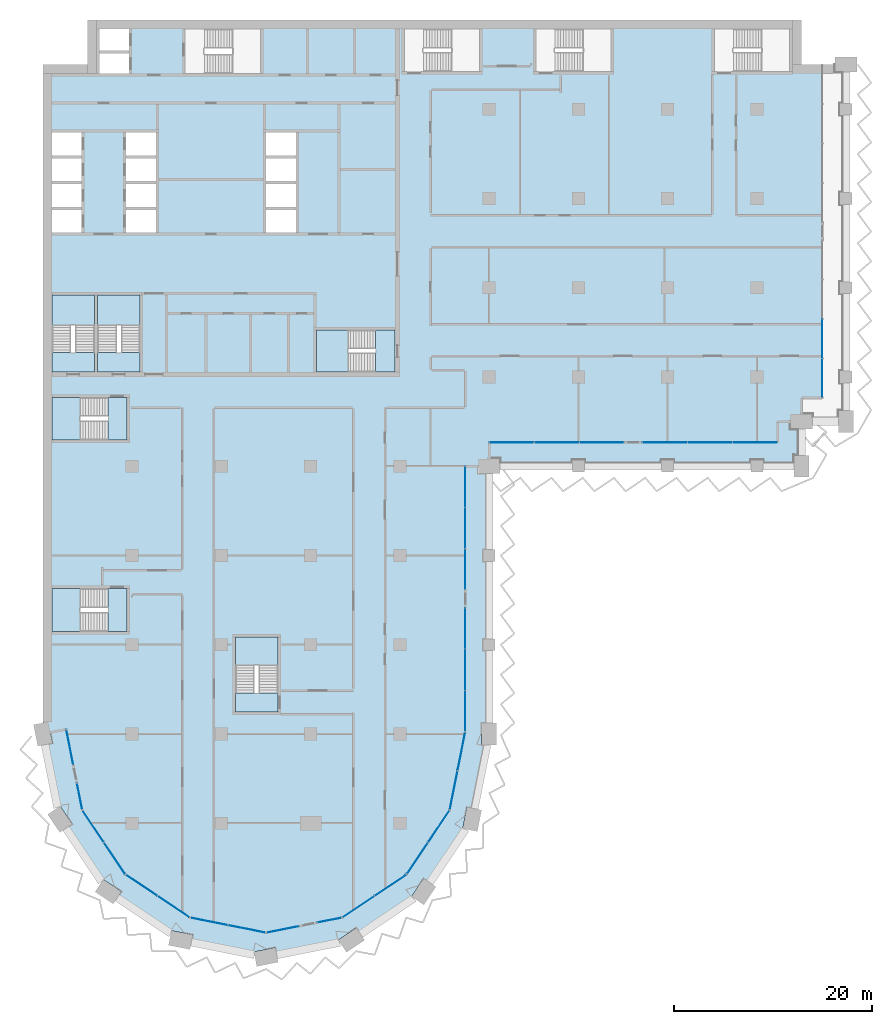
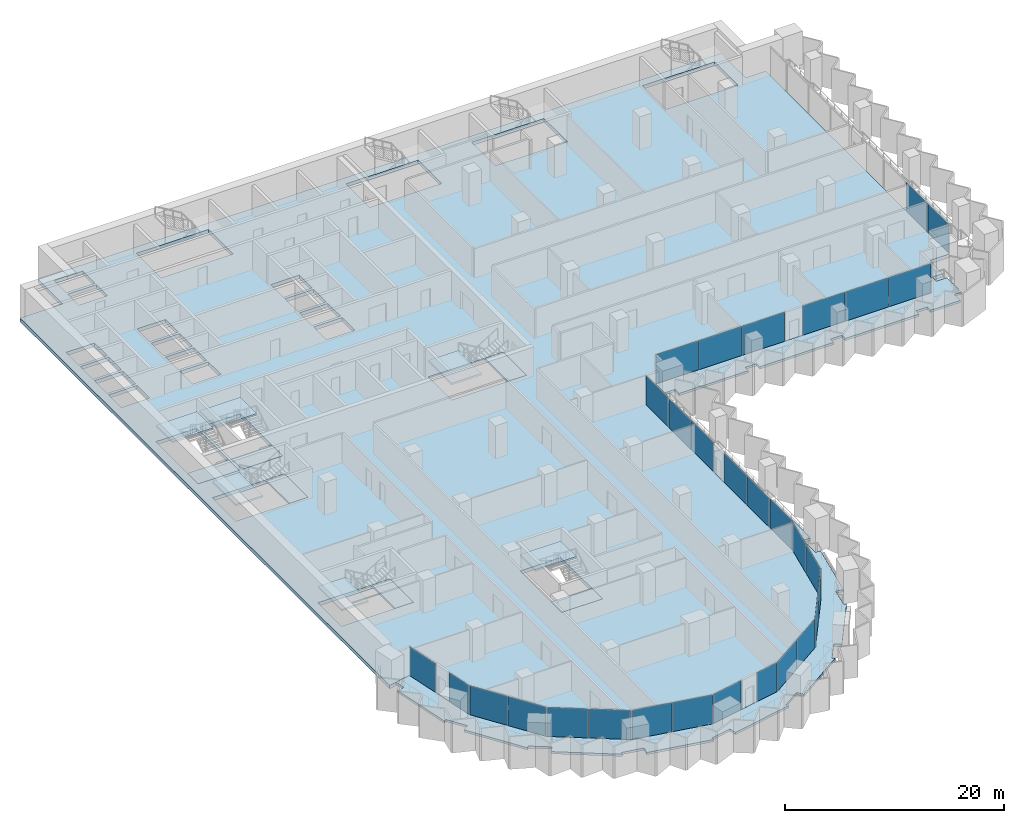
# One storey, part 7 of 23: 30 plates, 15 slabs, 21 elements without a shape of their own.
"""IFC4 building model written with IfcOpenShell, lengths in metres."""

from ifc_helpers import new_model, si_unit, direction, frame, origin, origin_2d, place, context, subcontext, project, spatial, polyline, rectangle, outline, extrude, material, layer, layer_set, type_object, element, aggregate, save


model = new_model("IFC4")

# Units and contexts
model_context = context("Model", 3, precision=1e-05, world=origin(), true_north=direction((0.0, 1.0)))
body_context = subcontext(model_context, "Body", "Model", "MODEL_VIEW")
ifc_project = project(units=[si_unit("LENGTHUNIT", "METRE"), si_unit("AREAUNIT", "SQUARE_METRE"), si_unit("VOLUMEUNIT", "CUBIC_METRE"), si_unit("PLANEANGLEUNIT", "RADIAN"), si_unit("MASSUNIT", "GRAM", prefix="KILO")], contexts=[model_context])

# Site, building, storey
site_placement = place(None, origin())
site = spatial("IfcSite", under=ifc_project, at=site_placement, CompositionType="ELEMENT")
building_placement = place(site_placement, origin())
building = spatial("IfcBuilding", under=site, at=building_placement, Name="Hunhe Ridgeline Campus", CompositionType="ELEMENT")
storey_placement = place(building_placement, frame((0.0, 0.0, 107.0)))
storey = spatial("IfcBuildingStorey", under=building, at=storey_placement, Name="L26", CompositionType="ELEMENT", Elevation=107.0)

# Curtain wall, plate
ifc_material_1 = material(Name="Aluminium 6063", Category="aluminium")
curtain_wall_type_1 = type_object("IfcCurtainWallType", Name="Curtain wall CW-5", PredefinedType="NOTDEFINED", material=ifc_material_1)
curtain_wall_1_placement = place(storey_placement, origin())
curtain_wall_1 = element("IfcCurtainWall", 1, at=curtain_wall_1_placement, inside=storey, type_object=curtain_wall_type_1, Name="Curtain wall 01", PredefinedType="NOTDEFINED")
ifc_material_2 = material(Name="Low-e laminated glass", Category="glass")
ifc_layer_1 = layer(ifc_material_2, 0.028076171875)
ifc_layer_set_1 = layer_set([ifc_layer_1], Name="Curtain wall glass panel 28 low-e laminated")
plate_type = type_object("IfcPlateType", Name="Curtain wall glass panel 28 low-e laminated", PredefinedType="CURTAIN_PANEL", material=ifc_layer_set_1)
plate_1_placement = place(storey_placement, frame((2.7158203125, 25.65380859375, 0.0), z_axis=(0.0, 0.0, 1.0), x_axis=(0.195095326561, -0.980784284924, 0.0)))
plate_1 = element("IfcPlate", 2, at=plate_1_placement, type_object=plate_type, Name="CW-5 panel 1", PredefinedType="CURTAIN_PANEL", context=body_context, shape_type="SweptSolid", body=[
    extrude(rectangle(XDim=3.560791015625, YDim=0.028076171875, at=origin_2d()), origin(), (0.0, 0.0, 1.0), 3.22998046875),
])
aggregate(curtain_wall_1, [plate_1])

curtain_wall_2_placement = place(storey_placement, origin())
curtain_wall_2 = element("IfcCurtainWall", 3, at=curtain_wall_2_placement, inside=storey, type_object=curtain_wall_type_1, Name="Curtain wall 02", PredefinedType="NOTDEFINED")
plate_2_placement = place(storey_placement, frame((3.701171875, 20.699951171875, 0.0), z_axis=(0.0, 0.0, 1.0), x_axis=(0.195095265587, -0.980784297053, 0.0)))
plate_2 = element("IfcPlate", 4, at=plate_2_placement, type_object=plate_type, Name="CW-5 panel 1", PredefinedType="CURTAIN_PANEL", context=body_context, shape_type="SweptSolid", body=[
    extrude(rectangle(XDim=2.660888671875, YDim=0.028076171875, at=origin_2d()), origin(), (0.0, 0.0, 1.0), 3.22998046875),
])
aggregate(curtain_wall_2, [plate_2])

# Curtain wall, plates
curtain_wall_3_placement = place(storey_placement, origin())
curtain_wall_3 = element("IfcCurtainWall", 5, at=curtain_wall_3_placement, inside=storey, type_object=curtain_wall_type_1, Name="Curtain wall 03", PredefinedType="NOTDEFINED")
plate_3_placement = place(storey_placement, frame((5.07080078125, 17.685546875, 0.0), z_axis=(0.0, 0.0, 1.0), x_axis=(0.555570274596, -0.831469584522, 0.0)))
plate_3 = element("IfcPlate", 6, at=plate_3_placement, type_object=plate_type, Name="CW-5 panel 1", PredefinedType="CURTAIN_PANEL", context=body_context, shape_type="SweptSolid", body=[
    extrude(rectangle(XDim=3.806884765625, YDim=0.028076171875, at=origin_2d()), origin(), (0.0, 0.0, 1.0), 3.22998046875),
])
plate_4_placement = place(storey_placement, frame((7.224609375, 14.4619140625, 0.0), z_axis=(0.0, 0.0, 1.0), x_axis=(0.555570274596, -0.831469584522, 0.0)))
plate_4 = element("IfcPlate", 7, at=plate_4_placement, type_object=plate_type, Name="CW-5 panel 2", PredefinedType="CURTAIN_PANEL", context=body_context, shape_type="SweptSolid", body=[
    extrude(rectangle(XDim=3.806884765625, YDim=0.028076171875, at=origin_2d()), origin(), (0.0, 0.0, 1.0), 3.22998046875),
])
aggregate(curtain_wall_3, [plate_3, plate_4])

curtain_wall_4_placement = place(storey_placement, origin())
curtain_wall_4 = element("IfcCurtainWall", 8, at=curtain_wall_4_placement, inside=storey, type_object=curtain_wall_type_1, Name="Curtain wall 04", PredefinedType="NOTDEFINED")
plate_5_placement = place(storey_placement, frame((9.9619140625, 11.724609375, 0.0), z_axis=(0.0, 0.0, 1.0), x_axis=(0.831469584522, -0.555570274596, 0.0)))
plate_5 = element("IfcPlate", 9, at=plate_5_placement, type_object=plate_type, Name="CW-5 panel 1", PredefinedType="CURTAIN_PANEL", context=body_context, shape_type="SweptSolid", body=[
    extrude(rectangle(XDim=3.806884765625, YDim=0.028076171875, at=origin_2d()), origin(), (0.0, 0.0, 1.0), 3.22998046875),
])
plate_6_placement = place(storey_placement, frame((13.185546875, 9.57080078125, 0.0), z_axis=(0.0, 0.0, 1.0), x_axis=(0.831469584522, -0.555570274596, 0.0)))
plate_6 = element("IfcPlate", 10, at=plate_6_placement, type_object=plate_type, Name="CW-5 panel 2", PredefinedType="CURTAIN_PANEL", context=body_context, shape_type="SweptSolid", body=[
    extrude(rectangle(XDim=3.806884765625, YDim=0.028076171875, at=origin_2d()), origin(), (0.0, 0.0, 1.0), 3.22998046875),
])
aggregate(curtain_wall_4, [plate_5, plate_6])

curtain_wall_5_placement = place(storey_placement, origin())
curtain_wall_5 = element("IfcCurtainWall", 11, at=curtain_wall_5_placement, inside=storey, type_object=curtain_wall_type_1, Name="Curtain wall 05", PredefinedType="NOTDEFINED")
plate_7_placement = place(storey_placement, frame((16.761962890625, 8.08935546875, 0.0), z_axis=(0.0, 0.0, 1.0), x_axis=(0.980785275326, -0.195090347539, 0.0)))
plate_7 = element("IfcPlate", 12, at=plate_7_placement, type_object=plate_type, Name="CW-5 panel 1", PredefinedType="CURTAIN_PANEL", context=body_context, shape_type="SweptSolid", body=[
    extrude(rectangle(XDim=3.806884765625, YDim=0.028076171875, at=origin_2d()), origin(), (0.0, 0.0, 1.0), 3.22998046875),
])
plate_8_placement = place(storey_placement, frame((20.564453125, 7.3330078125, 0.0), z_axis=(0.0, 0.0, 1.0), x_axis=(0.980785275326, -0.195090347539, 0.0)))
plate_8 = element("IfcPlate", 13, at=plate_8_placement, type_object=plate_type, Name="CW-5 panel 2", PredefinedType="CURTAIN_PANEL", context=body_context, shape_type="SweptSolid", body=[
    extrude(rectangle(XDim=3.806884765625, YDim=0.028076171875, at=origin_2d()), origin(), (0.0, 0.0, 1.0), 3.22998046875),
])
aggregate(curtain_wall_5, [plate_7, plate_8])

# Curtain wall, plate
curtain_wall_6_placement = place(storey_placement, origin())
curtain_wall_6 = element("IfcCurtainWall", 14, at=curtain_wall_6_placement, inside=storey, type_object=curtain_wall_type_1, Name="Curtain wall 06", PredefinedType="NOTDEFINED")
plate_9_placement = place(storey_placement, frame((24.19775390625, 7.28564453125, 0.0), z_axis=(0.0, 0.0, 1.0), x_axis=(0.980785270791, 0.19509037034, 0.0)))
plate_9 = element("IfcPlate", 15, at=plate_9_placement, type_object=plate_type, Name="CW-5 panel 1", PredefinedType="CURTAIN_PANEL", context=body_context, shape_type="SweptSolid", body=[
    extrude(rectangle(XDim=3.322021484375, YDim=0.028076171875, at=origin_2d()), origin(), (0.0, 0.0, 1.0), 3.22998046875),
])
aggregate(curtain_wall_6, [plate_9])

curtain_wall_7_placement = place(storey_placement, origin())
curtain_wall_7 = element("IfcCurtainWall", 16, at=curtain_wall_7_placement, inside=storey, type_object=curtain_wall_type_1, Name="Curtain wall 07", PredefinedType="NOTDEFINED")
plate_10_placement = place(storey_placement, frame((28.917236328125, 8.224609375, 0.0), z_axis=(0.0, 0.0, 1.0), x_axis=(0.980785242091, 0.195090514627, 0.0)))
plate_10 = element("IfcPlate", 17, at=plate_10_placement, type_object=plate_type, Name="CW-5 panel 1", PredefinedType="CURTAIN_PANEL", context=body_context, shape_type="SweptSolid", body=[
    extrude(rectangle(XDim=2.421875, YDim=0.028076171875, at=origin_2d()), origin(), (0.0, 0.0, 1.0), 3.22998046875),
])
aggregate(curtain_wall_7, [plate_10])

# Curtain wall, plates
curtain_wall_8_placement = place(storey_placement, origin())
curtain_wall_8 = element("IfcCurtainWall", 18, at=curtain_wall_8_placement, inside=storey, type_object=curtain_wall_type_1, Name="Curtain wall 08", PredefinedType="NOTDEFINED")
plate_11_placement = place(storey_placement, frame((31.814453125, 9.57080078125, 0.0), z_axis=(0.0, 0.0, 1.0), x_axis=(0.831469584522, 0.555570274596, 0.0)))
plate_11 = element("IfcPlate", 19, at=plate_11_placement, type_object=plate_type, Name="CW-5 panel 1", PredefinedType="CURTAIN_PANEL", context=body_context, shape_type="SweptSolid", body=[
    extrude(rectangle(XDim=3.806884765625, YDim=0.028076171875, at=origin_2d()), origin(), (0.0, 0.0, 1.0), 3.22998046875),
])
plate_12_placement = place(storey_placement, frame((35.0380859375, 11.724609375, 0.0), z_axis=(0.0, 0.0, 1.0), x_axis=(0.831469584522, 0.555570274596, 0.0)))
plate_12 = element("IfcPlate", 20, at=plate_12_placement, type_object=plate_type, Name="CW-5 panel 2", PredefinedType="CURTAIN_PANEL", context=body_context, shape_type="SweptSolid", body=[
    extrude(rectangle(XDim=3.806884765625, YDim=0.028076171875, at=origin_2d()), origin(), (0.0, 0.0, 1.0), 3.22998046875),
])
aggregate(curtain_wall_8, [plate_11, plate_12])

curtain_wall_9_placement = place(storey_placement, origin())
curtain_wall_9 = element("IfcCurtainWall", 21, at=curtain_wall_9_placement, inside=storey, type_object=curtain_wall_type_1, Name="Curtain wall 09", PredefinedType="NOTDEFINED")
plate_13_placement = place(storey_placement, frame((37.775390625, 14.4619140625, 0.0), z_axis=(0.0, 0.0, 1.0), x_axis=(0.555570274596, 0.831469584522, 0.0)))
plate_13 = element("IfcPlate", 22, at=plate_13_placement, type_object=plate_type, Name="CW-5 panel 1", PredefinedType="CURTAIN_PANEL", context=body_context, shape_type="SweptSolid", body=[
    extrude(rectangle(XDim=3.806884765625, YDim=0.028076171875, at=origin_2d()), origin(), (0.0, 0.0, 1.0), 3.22998046875),
])
plate_14_placement = place(storey_placement, frame((39.92919921875, 17.685546875, 0.0), z_axis=(0.0, 0.0, 1.0), x_axis=(0.555570274596, 0.831469584522, 0.0)))
plate_14 = element("IfcPlate", 23, at=plate_14_placement, type_object=plate_type, Name="CW-5 panel 2", PredefinedType="CURTAIN_PANEL", context=body_context, shape_type="SweptSolid", body=[
    extrude(rectangle(XDim=3.806884765625, YDim=0.028076171875, at=origin_2d()), origin(), (0.0, 0.0, 1.0), 3.22998046875),
])
aggregate(curtain_wall_9, [plate_13, plate_14])

curtain_wall_10_placement = place(storey_placement, origin())
curtain_wall_10 = element("IfcCurtainWall", 24, at=curtain_wall_10_placement, inside=storey, type_object=curtain_wall_type_1, Name="Curtain wall 10", PredefinedType="NOTDEFINED")
plate_15_placement = place(storey_placement, frame((41.42236328125, 21.321044921875, 0.0), z_axis=(0.0, 0.0, 1.0), x_axis=(0.195090299215, 0.980785284939, 0.0)))
plate_15 = element("IfcPlate", 25, at=plate_15_placement, type_object=plate_type, Name="CW-5 panel 1", PredefinedType="CURTAIN_PANEL", context=body_context, shape_type="SweptSolid", body=[
    extrude(rectangle(XDim=3.927490234375, YDim=0.028076171875, at=origin_2d()), origin(), (0.0, 0.0, 1.0), 3.22998046875),
])
plate_16_placement = place(storey_placement, frame((42.2021484375, 25.24169921875, 0.0), z_axis=(0.0, 0.0, 1.0), x_axis=(0.195090299215, 0.980785284939, 0.0)))
plate_16 = element("IfcPlate", 26, at=plate_16_placement, type_object=plate_type, Name="CW-5 panel 2", PredefinedType="CURTAIN_PANEL", context=body_context, shape_type="SweptSolid", body=[
    extrude(rectangle(XDim=3.927490234375, YDim=0.028076171875, at=origin_2d()), origin(), (0.0, 0.0, 1.0), 3.22998046875),
])
aggregate(curtain_wall_10, [plate_15, plate_16])

curtain_wall_type_2 = type_object("IfcCurtainWallType", Name="Curtain wall CW-1", PredefinedType="NOTDEFINED", material=ifc_material_1)
curtain_wall_11_placement = place(storey_placement, origin())
curtain_wall_11 = element("IfcCurtainWall", 27, at=curtain_wall_11_placement, inside=storey, type_object=curtain_wall_type_2, Name="Curtain wall 11", PredefinedType="NOTDEFINED")
plate_17_placement = place(storey_placement, frame((42.59912109375, 29.331787109375, 0.0), z_axis=(0.0, 0.0, 1.0), x_axis=(1.0975712e-05, 0.99999999994, 0.0)))
plate_17 = element("IfcPlate", 28, at=plate_17_placement, type_object=plate_type, Name="CW-1 panel 1", PredefinedType="CURTAIN_PANEL", context=body_context, shape_type="SweptSolid", body=[
    extrude(rectangle(XDim=4.07080078125, YDim=0.028076171875, at=origin_2d()), origin(), (0.0, 0.0, 1.0), 3.239990234375),
])
plate_18_placement = place(storey_placement, frame((42.59912109375, 33.4775390625, 0.0), z_axis=(0.0, 0.0, 1.0), x_axis=(1.0975712e-05, 0.99999999994, 0.0)))
plate_18 = element("IfcPlate", 29, at=plate_18_placement, type_object=plate_type, Name="CW-1 panel 2", PredefinedType="CURTAIN_PANEL", context=body_context, shape_type="SweptSolid", body=[
    extrude(rectangle(XDim=4.1005859375, YDim=0.028076171875, at=origin_2d()), origin(), (0.0, 0.0, 1.0), 3.239990234375),
])
plate_19_placement = place(storey_placement, frame((42.59912109375, 37.623291015625, 0.0), z_axis=(0.0, 0.0, 1.0), x_axis=(1.0975712e-05, 0.99999999994, 0.0)))
plate_19 = element("IfcPlate", 30, at=plate_19_placement, type_object=plate_type, Name="CW-1 panel 3", PredefinedType="CURTAIN_PANEL", context=body_context, shape_type="SweptSolid", body=[
    extrude(rectangle(XDim=4.07080078125, YDim=0.028076171875, at=origin_2d()), origin(), (0.0, 0.0, 1.0), 3.239990234375),
])
aggregate(curtain_wall_11, [plate_17, plate_18, plate_19])

curtain_wall_12_placement = place(storey_placement, origin())
curtain_wall_12 = element("IfcCurtainWall", 31, at=curtain_wall_12_placement, inside=storey, type_object=curtain_wall_type_2, Name="Curtain wall 12", PredefinedType="NOTDEFINED")
plate_20_placement = place(storey_placement, frame((42.59912109375, 43.614013671875, 0.0), z_axis=(0.0, 0.0, 1.0), x_axis=(1.0975712e-05, 0.99999999994, 0.0)))
plate_20 = element("IfcPlate", 32, at=plate_20_placement, type_object=plate_type, Name="CW-1 panel 1", PredefinedType="CURTAIN_PANEL", context=body_context, shape_type="SweptSolid", body=[
    extrude(rectangle(XDim=4.07080078125, YDim=0.028076171875, at=origin_2d()), origin(), (0.0, 0.0, 1.0), 3.239990234375),
])
plate_21_placement = place(storey_placement, frame((42.59912109375, 47.759765625, 0.0), z_axis=(0.0, 0.0, 1.0), x_axis=(1.0975712e-05, 0.99999999994, 0.0)))
plate_21 = element("IfcPlate", 33, at=plate_21_placement, type_object=plate_type, Name="CW-1 panel 2", PredefinedType="CURTAIN_PANEL", context=body_context, shape_type="SweptSolid", body=[
    extrude(rectangle(XDim=4.1005859375, YDim=0.028076171875, at=origin_2d()), origin(), (0.0, 0.0, 1.0), 3.239990234375),
])
plate_22_placement = place(storey_placement, frame((42.599365234375, 51.9052734375, 0.0), z_axis=(0.0, 0.0, 1.0), x_axis=(1.0975712e-05, 0.99999999994, 0.0)))
plate_22 = element("IfcPlate", 34, at=plate_22_placement, type_object=plate_type, Name="CW-1 panel 3", PredefinedType="CURTAIN_PANEL", context=body_context, shape_type="SweptSolid", body=[
    extrude(rectangle(XDim=4.07080078125, YDim=0.028076171875, at=origin_2d()), origin(), (0.0, 0.0, 1.0), 3.239990234375),
])
aggregate(curtain_wall_12, [plate_20, plate_21, plate_22])

curtain_wall_13_placement = place(storey_placement, origin())
curtain_wall_13 = element("IfcCurtainWall", 35, at=curtain_wall_13_placement, inside=storey, type_object=curtain_wall_type_2, Name="Curtain wall 13", PredefinedType="NOTDEFINED")
plate_23_placement = place(storey_placement, frame((47.289794921875, 56.40087890625, 0.0), z_axis=(0.0, 0.0, 1.0), x_axis=(1.0, 1.4652e-07, 0.0)))
plate_23 = element("IfcPlate", 36, at=plate_23_placement, type_object=plate_type, Name="CW-1 panel 1", PredefinedType="CURTAIN_PANEL", context=body_context, shape_type="SweptSolid", body=[
    extrude(rectangle(XDim=4.4599609375, YDim=0.028076171875, at=origin_2d()), origin(), (0.0, 0.0, 1.0), 3.239990234375),
])
plate_24_placement = place(storey_placement, frame((51.82470703125, 56.40087890625, 0.0), z_axis=(0.0, 0.0, 1.0), x_axis=(1.0, 1.4652e-07, 0.0)))
plate_24 = element("IfcPlate", 37, at=plate_24_placement, type_object=plate_type, Name="CW-1 panel 2", PredefinedType="CURTAIN_PANEL", context=body_context, shape_type="SweptSolid", body=[
    extrude(rectangle(XDim=4.48974609375, YDim=0.028076171875, at=origin_2d()), origin(), (0.0, 0.0, 1.0), 3.239990234375),
])
plate_25_placement = place(storey_placement, frame((56.359619140625, 56.40087890625, 0.0), z_axis=(0.0, 0.0, 1.0), x_axis=(1.0, 1.4652e-07, 0.0)))
plate_25 = element("IfcPlate", 38, at=plate_25_placement, type_object=plate_type, Name="CW-1 panel 3", PredefinedType="CURTAIN_PANEL", context=body_context, shape_type="SweptSolid", body=[
    extrude(rectangle(XDim=4.4599609375, YDim=0.028076171875, at=origin_2d()), origin(), (0.0, 0.0, 1.0), 3.239990234375),
])
aggregate(curtain_wall_13, [plate_23, plate_24, plate_25])

curtain_wall_14_placement = place(storey_placement, origin())
curtain_wall_14 = element("IfcCurtainWall", 39, at=curtain_wall_14_placement, inside=storey, type_object=curtain_wall_type_2, Name="Curtain wall 14", PredefinedType="NOTDEFINED")
plate_26_placement = place(storey_placement, frame((62.7392578125, 56.40087890625, 0.0), z_axis=(0.0, 0.0, 1.0), x_axis=(1.0, 1.4652e-07, 0.0)))
plate_26 = element("IfcPlate", 40, at=plate_26_placement, type_object=plate_type, Name="CW-1 panel 1", PredefinedType="CURTAIN_PANEL", context=body_context, shape_type="SweptSolid", body=[
    extrude(rectangle(XDim=4.4599609375, YDim=0.028076171875, at=origin_2d()), origin(), (0.0, 0.0, 1.0), 3.239990234375),
])
plate_27_placement = place(storey_placement, frame((67.274169921875, 56.40087890625, 0.0), z_axis=(0.0, 0.0, 1.0), x_axis=(1.0, 1.4652e-07, 0.0)))
plate_27 = element("IfcPlate", 41, at=plate_27_placement, type_object=plate_type, Name="CW-1 panel 2", PredefinedType="CURTAIN_PANEL", context=body_context, shape_type="SweptSolid", body=[
    extrude(rectangle(XDim=4.48974609375, YDim=0.028076171875, at=origin_2d()), origin(), (0.0, 0.0, 1.0), 3.239990234375),
])
plate_28_placement = place(storey_placement, frame((71.80908203125, 56.40087890625, 0.0), z_axis=(0.0, 0.0, 1.0), x_axis=(1.0, 1.4652e-07, 0.0)))
plate_28 = element("IfcPlate", 42, at=plate_28_placement, type_object=plate_type, Name="CW-1 panel 3", PredefinedType="CURTAIN_PANEL", context=body_context, shape_type="SweptSolid", body=[
    extrude(rectangle(XDim=4.4599609375, YDim=0.028076171875, at=origin_2d()), origin(), (0.0, 0.0, 1.0), 3.239990234375),
])
aggregate(curtain_wall_14, [plate_26, plate_27, plate_28])

curtain_wall_15_placement = place(storey_placement, origin())
curtain_wall_15 = element("IfcCurtainWall", 43, at=curtain_wall_15_placement, inside=storey, type_object=curtain_wall_type_2, Name="Curtain wall 15", PredefinedType="NOTDEFINED")
plate_29_placement = place(storey_placement, frame((78.59912109375, 62.9033203125, 0.0), z_axis=(0.0, 0.0, 1.0), x_axis=(0.0, 1.0, 0.0)))
plate_29 = element("IfcPlate", 44, at=plate_29_placement, type_object=plate_type, Name="CW-1 panel 1", PredefinedType="CURTAIN_PANEL", context=body_context, shape_type="SweptSolid", body=[
    extrude(rectangle(XDim=3.884765625, YDim=0.028076171875, at=origin_2d()), origin(), (0.0, 0.0, 1.0), 3.239990234375),
])
plate_30_placement = place(storey_placement, frame((78.59912109375, 66.86328125, 0.0), z_axis=(0.0, 0.0, 1.0), x_axis=(0.0, 1.0, 0.0)))
plate_30 = element("IfcPlate", 45, at=plate_30_placement, type_object=plate_type, Name="CW-1 panel 2", PredefinedType="CURTAIN_PANEL", context=body_context, shape_type="SweptSolid", body=[
    extrude(rectangle(XDim=3.914794921875, YDim=0.028076171875, at=origin_2d()), origin(), (0.0, 0.0, 1.0), 3.239990234375),
])
aggregate(curtain_wall_15, [plate_29, plate_30])

# Slabs
ifc_material_3 = material(Name="Concrete C40", Category="concrete")
ifc_layer_2 = layer(ifc_material_3, 0.39990234375)
ifc_layer_set_2 = layer_set([ifc_layer_2], Name="Floor slab 400 Concrete C40")
slab_type_1 = type_object("IfcSlabType", Name="Floor slab 400 Concrete C40", PredefinedType="FLOOR", material=ifc_layer_set_2)
slab_1_placement = place(storey_placement, frame((0.0, 0.0, -0.39990234375)))
element("IfcSlab", 46, at=slab_1_placement, inside=storey, type_object=slab_type_1, Name="Floor slab L26 1", PredefinedType="FLOOR", context=body_context, shape_type="SweptSolid", body=[
    extrude(outline(polyline([(0.0, 27.0009765625), (2.354736328125, 27.46875), (3.974365234375, 19.326416015625), (8.321044921875, 12.821044921875), (14.826416015625, 8.474365234375), (22.5, 6.947998046875), (30.173583984375, 8.474365234375), (36.678955078125, 12.821044921875), (41.025634765625, 19.326416015625), (42.59912109375, 27.236572265625), (42.599365234375, 54.000732421875), (44.9990234375, 54.0009765625), (45.0, 56.40087890625), (74.09912109375, 56.40087890625), (74.099365234375, 58.500732421875), (76.4990234375, 58.5009765625), (76.499267578125, 60.900634765625), (78.59912109375, 60.90087890625), (78.59912109375, 94.5), (76.5, 94.5), (76.5, 99.0), (4.5, 99.0), (4.5, 94.5), (0.0, 94.5), (0.0, 27.0009765625)]), holes=[polyline([(67.699951171875, 93.800048828125), (75.300048828125, 93.800048828125), (75.300048828125, 98.10009765625), (67.699951171875, 98.10009765625), (67.699951171875, 93.800048828125)]), polyline([(57.300048828125, 93.800048828125), (57.300048828125, 98.10009765625), (49.699951171875, 98.10009765625), (49.699951171875, 93.800048828125), (57.300048828125, 93.800048828125)]), polyline([(44.050048828125, 98.10009765625), (36.449951171875, 98.10009765625), (36.449951171875, 93.800048828125), (44.050048828125, 93.800048828125), (44.050048828125, 98.10009765625)]), polyline([(27.60009765625, 67.75), (27.60009765625, 63.5), (35.5, 63.5), (35.5, 67.75), (27.60009765625, 67.75)]), polyline([(25.5, 85.35009765625), (25.5, 87.64990234375), (22.5, 87.64990234375), (22.5, 85.35009765625), (25.5, 85.35009765625)]), polyline([(25.5, 85.050048828125), (22.5, 85.050048828125), (22.5, 82.75), (25.5, 82.75), (25.5, 85.050048828125)]), polyline([(22.5, 82.449951171875), (22.5, 80.14990234375), (25.5, 80.14990234375), (25.5, 82.449951171875), (22.5, 82.449951171875)]), polyline([(22.5, 77.550048828125), (25.5, 77.550048828125), (25.5, 79.85009765625), (22.5, 79.85009765625), (22.5, 77.550048828125)]), polyline([(19.39990234375, 29.199951171875), (23.699951171875, 29.199951171875), (23.699951171875, 36.800048828125), (19.39990234375, 36.800048828125), (19.39990234375, 29.199951171875)]), polyline([(21.949951171875, 98.10009765625), (14.35009765625, 98.10009765625), (14.35009765625, 93.60009765625), (21.949951171875, 93.60009765625), (21.949951171875, 98.10009765625)]), polyline([(8.39990234375, 82.449951171875), (8.39990234375, 80.14990234375), (11.39990234375, 80.14990234375), (11.39990234375, 82.449951171875), (8.39990234375, 82.449951171875)]), polyline([(11.39990234375, 85.35009765625), (11.39990234375, 87.64990234375), (8.39990234375, 87.64990234375), (8.39990234375, 85.35009765625), (11.39990234375, 85.35009765625)]), polyline([(11.39990234375, 85.050048828125), (8.39990234375, 85.050048828125), (8.39990234375, 82.75), (11.39990234375, 82.75), (11.39990234375, 85.050048828125)]), polyline([(8.39990234375, 77.550048828125), (11.39990234375, 77.550048828125), (11.39990234375, 79.85009765625), (8.39990234375, 79.85009765625), (8.39990234375, 77.550048828125)]), polyline([(5.5, 63.5), (9.800048828125, 63.5), (9.800048828125, 71.25), (5.5, 71.25), (5.5, 63.5)]), polyline([(5.699951171875, 98.10009765625), (5.699951171875, 95.89990234375), (8.699951171875, 95.89990234375), (8.699951171875, 98.10009765625), (5.699951171875, 98.10009765625)]), polyline([(5.699951171875, 93.60009765625), (8.699951171875, 93.60009765625), (8.699951171875, 95.60009765625), (5.699951171875, 95.60009765625), (5.699951171875, 93.60009765625)]), polyline([(0.89990234375, 60.949951171875), (0.89990234375, 56.64990234375), (8.5, 56.64990234375), (8.5, 60.949951171875), (0.89990234375, 60.949951171875)]), polyline([(0.89990234375, 37.35009765625), (8.5, 37.35009765625), (8.5, 41.64990234375), (0.89990234375, 41.64990234375), (0.89990234375, 37.35009765625)]), polyline([(5.199951171875, 63.5), (5.199951171875, 71.25), (0.89990234375, 71.25), (0.89990234375, 63.5), (5.199951171875, 63.5)]), polyline([(3.89990234375, 85.35009765625), (3.89990234375, 87.64990234375), (0.89990234375, 87.64990234375), (0.89990234375, 85.35009765625), (3.89990234375, 85.35009765625)]), polyline([(3.89990234375, 85.050048828125), (0.89990234375, 85.050048828125), (0.89990234375, 82.75), (3.89990234375, 82.75), (3.89990234375, 85.050048828125)]), polyline([(0.89990234375, 82.449951171875), (0.89990234375, 80.14990234375), (3.89990234375, 80.14990234375), (3.89990234375, 82.449951171875), (0.89990234375, 82.449951171875)]), polyline([(0.89990234375, 77.550048828125), (3.89990234375, 77.550048828125), (3.89990234375, 79.85009765625), (0.89990234375, 79.85009765625), (0.89990234375, 77.550048828125)])]), origin(), (0.0, 0.0, 1.0), 0.39990234375),
])
ifc_layer_3 = layer(ifc_material_3, 0.25)
ifc_layer_set_3 = layer_set([ifc_layer_3], Name="Loggia slab 250 Concrete C40")
slab_type_2 = type_object("IfcSlabType", Name="Loggia slab 250 Concrete C40", PredefinedType="FLOOR", material=ifc_layer_set_3)
slab_2_placement = place(storey_placement, frame((0.0, 0.0, -0.25)))
element("IfcSlab", 47, at=slab_2_placement, inside=storey, type_object=slab_type_2, Name="Loggia slab 1", PredefinedType="FLOOR", context=body_context, shape_type="SweptSolid", body=[
    extrude(outline(polyline([(30.173828125, 8.473388671875), (22.5, 6.947021484375), (14.826171875, 8.473388671875), (8.3203125, 12.8203125), (3.973388671875, 19.326171875), (2.35400390625, 27.46826171875), (0.735595703125, 27.146240234375), (0.9501953125, 26.0673828125), (0.214599609375, 25.921142578125), (1.48046875, 19.557373046875), (1.72509765625, 19.720947265625), (2.947509765625, 17.8916015625), (2.32373046875, 17.47509765625), (5.9287109375, 12.080078125), (6.092041015625, 12.32470703125), (7.92138671875, 11.1025390625), (7.504638671875, 10.47900390625), (12.899658203125, 6.874267578125), (12.95703125, 7.162841796875), (15.11474609375, 6.733642578125), (14.968505859375, 5.998046875), (21.332275390625, 4.732177734375), (21.27490234375, 5.02099609375), (23.4326171875, 5.4501953125), (23.578857421875, 4.714599609375), (29.942626953125, 5.98046875), (29.779052734375, 6.22509765625), (31.6083984375, 7.447509765625), (32.02490234375, 6.82373046875), (37.419921875, 10.4287109375), (37.17529296875, 10.592041015625), (38.3974609375, 12.42138671875), (39.02099609375, 12.004638671875), (42.625732421875, 17.399658203125), (42.337158203125, 17.45703125), (42.766357421875, 19.61474609375), (43.501953125, 19.468505859375), (44.78125, 25.89990234375), (44.25, 25.89990234375), (44.25, 28.10009765625), (45.0, 28.10009765625), (45.0, 35.39990234375), (44.39990234375, 35.39990234375), (44.39990234375, 36.60009765625), (45.0, 36.60009765625), (45.0, 44.39990234375), (44.39990234375, 44.39990234375), (44.39990234375, 45.60009765625), (45.0, 45.60009765625), (45.0, 53.25), (43.89990234375, 53.25), (43.89990234375, 54.0), (42.60009765625, 54.0), (42.60009765625, 27.236328125), (41.026611328125, 19.326171875), (36.6796875, 12.8203125), (30.173828125, 8.473388671875)])), origin(), (0.0, 0.0, 1.0), 0.25),
])
slab_3_placement = place(storey_placement, frame((0.0, 0.0, -0.25)))
element("IfcSlab", 48, at=slab_3_placement, inside=storey, type_object=slab_type_2, Name="Loggia slab 2", PredefinedType="FLOOR", context=body_context, shape_type="SweptSolid", body=[
    extrude(outline(polyline([(45.0, 54.75), (46.10009765625, 54.75), (46.10009765625, 54.0), (53.39990234375, 54.0), (53.39990234375, 54.60009765625), (54.60009765625, 54.60009765625), (54.60009765625, 54.0), (62.39990234375, 54.0), (62.39990234375, 54.60009765625), (63.60009765625, 54.60009765625), (63.60009765625, 54.0), (71.39990234375, 54.0), (71.39990234375, 54.60009765625), (72.60009765625, 54.60009765625), (72.60009765625, 54.0), (75.75, 54.0), (75.75, 55.10009765625), (76.5, 55.10009765625), (76.5, 57.75), (75.39990234375, 57.75), (75.39990234375, 58.5), (74.10009765625, 58.5), (74.10009765625, 56.39990234375), (45.0, 56.39990234375), (45.0, 54.75)])), origin(), (0.0, 0.0, 1.0), 0.25),
])

# Stair, slab
stair_type = type_object("IfcStairType", Name="Reinforced concrete dog-leg stair 1950 Concrete C40", PredefinedType="HALF_TURN_STAIR", material=ifc_material_3)
stair_1_placement = place(storey_placement, origin())
stair_1 = element("IfcStair", 49, at=stair_1_placement, inside=storey, type_object=stair_type, Name="L26 S2", PredefinedType="HALF_TURN_STAIR")
ifc_layer_4 = layer(ifc_material_3, 0.199951171875)
ifc_layer_set_4 = layer_set([ifc_layer_4], Name="Reinforced concrete stair landing 200 Concrete C40")
slab_type_3 = type_object("IfcSlabType", Name="Reinforced concrete stair landing 200 Concrete C40", PredefinedType="LANDING", material=ifc_layer_set_4)
slab_4_placement = place(storey_placement, frame((0.0, 0.0, 1.64990234375)))
slab_4 = element("IfcSlab", 50, at=slab_4_placement, type_object=slab_type_3, Name="ST2 landing 1", PredefinedType="LANDING", context=body_context, shape_type="SweptSolid", body=[
    extrude(outline(polyline([(30.75, 67.75), (27.60009765625, 67.75), (27.60009765625, 63.5), (30.75, 63.5), (30.75, 67.75)])), origin(), (0.0, 0.0, 1.0), 0.2001953125),
])
aggregate(stair_1, [slab_4])

# Slab
slab_5_placement = place(storey_placement, frame((0.0, 0.0, -0.199951171875)))
element("IfcSlab", 51, at=slab_5_placement, inside=storey, type_object=slab_type_3, Name="L26 stair S2 floor landing", PredefinedType="LANDING", context=body_context, shape_type="SweptSolid", body=[
    extrude(outline(polyline([(35.5, 67.75), (33.550048828125, 67.75), (33.550048828125, 63.5), (35.5, 63.5), (35.5, 67.75)])), origin(), (0.0, 0.0, 1.0), 0.199951171875),
])

# Stair, slab
stair_2_placement = place(storey_placement, origin())
stair_2 = element("IfcStair", 52, at=stair_2_placement, inside=storey, type_object=stair_type, Name="L26 S3", PredefinedType="HALF_TURN_STAIR")
slab_6_placement = place(storey_placement, frame((0.0, 0.0, 1.64990234375)))
slab_6 = element("IfcSlab", 53, at=slab_6_placement, type_object=slab_type_3, Name="ST3 landing 1", PredefinedType="LANDING", context=body_context, shape_type="SweptSolid", body=[
    extrude(outline(polyline([(5.199951171875, 68.25), (5.199951171875, 71.25), (0.89990234375, 71.25), (0.89990234375, 68.25), (5.199951171875, 68.25)])), origin(), (0.0, 0.0, 1.0), 0.2001953125),
])
aggregate(stair_2, [slab_6])

# Slab
slab_7_placement = place(storey_placement, frame((0.0, 0.0, -0.199951171875)))
element("IfcSlab", 54, at=slab_7_placement, inside=storey, type_object=slab_type_3, Name="L26 stair S3 floor landing", PredefinedType="LANDING", context=body_context, shape_type="SweptSolid", body=[
    extrude(outline(polyline([(5.199951171875, 63.5), (5.199951171875, 65.449951171875), (0.89990234375, 65.449951171875), (0.89990234375, 63.5), (5.199951171875, 63.5)])), origin(), (0.0, 0.0, 1.0), 0.199951171875),
])

# Stair, slab
stair_3_placement = place(storey_placement, origin())
stair_3 = element("IfcStair", 55, at=stair_3_placement, inside=storey, type_object=stair_type, Name="L26 S4", PredefinedType="HALF_TURN_STAIR")
slab_8_placement = place(storey_placement, frame((0.0, 0.0, 1.64990234375)))
slab_8 = element("IfcSlab", 56, at=slab_8_placement, type_object=slab_type_3, Name="ST4 landing 1", PredefinedType="LANDING", context=body_context, shape_type="SweptSolid", body=[
    extrude(outline(polyline([(9.800048828125, 68.25), (9.800048828125, 71.25), (5.5, 71.25), (5.5, 68.25), (9.800048828125, 68.25)])), origin(), (0.0, 0.0, 1.0), 0.2001953125),
])
aggregate(stair_3, [slab_8])

# Slab
slab_9_placement = place(storey_placement, frame((0.0, 0.0, -0.199951171875)))
element("IfcSlab", 57, at=slab_9_placement, inside=storey, type_object=slab_type_3, Name="L26 stair S4 floor landing", PredefinedType="LANDING", context=body_context, shape_type="SweptSolid", body=[
    extrude(outline(polyline([(9.800048828125, 63.5), (9.800048828125, 65.449951171875), (5.5, 65.449951171875), (5.5, 63.5), (9.800048828125, 63.5)])), origin(), (0.0, 0.0, 1.0), 0.199951171875),
])

# Stair, slab
stair_4_placement = place(storey_placement, origin())
stair_4 = element("IfcStair", 58, at=stair_4_placement, inside=storey, type_object=stair_type, Name="L26 W3", PredefinedType="HALF_TURN_STAIR")
slab_10_placement = place(storey_placement, frame((0.0, 0.0, 1.64990234375)))
slab_10 = element("IfcSlab", 59, at=slab_10_placement, type_object=slab_type_3, Name="ST9 landing 1", PredefinedType="LANDING", context=body_context, shape_type="SweptSolid", body=[
    extrude(outline(polyline([(23.699951171875, 33.949951171875), (23.699951171875, 36.800048828125), (19.39990234375, 36.800048828125), (19.39990234375, 33.949951171875), (23.699951171875, 33.949951171875)])), origin(), (0.0, 0.0, 1.0), 0.2001953125),
])
aggregate(stair_4, [slab_10])

# Slab
slab_11_placement = place(storey_placement, frame((0.0, 0.0, -0.199951171875)))
element("IfcSlab", 60, at=slab_11_placement, inside=storey, type_object=slab_type_3, Name="L26 stair W3 floor landing", PredefinedType="LANDING", context=body_context, shape_type="SweptSolid", body=[
    extrude(outline(polyline([(23.699951171875, 29.199951171875), (23.699951171875, 31.14990234375), (19.39990234375, 31.14990234375), (19.39990234375, 29.199951171875), (23.699951171875, 29.199951171875)])), origin(), (0.0, 0.0, 1.0), 0.199951171875),
])

# Stair, slab
stair_5_placement = place(storey_placement, origin())
stair_5 = element("IfcStair", 61, at=stair_5_placement, inside=storey, type_object=stair_type, Name="L26 W1", PredefinedType="HALF_TURN_STAIR")
slab_12_placement = place(storey_placement, frame((0.0, 0.0, 1.64990234375)))
slab_12 = element("IfcSlab", 62, at=slab_12_placement, type_object=slab_type_3, Name="ST11 landing 1", PredefinedType="LANDING", context=body_context, shape_type="SweptSolid", body=[
    extrude(outline(polyline([(3.75, 41.64990234375), (0.89990234375, 41.64990234375), (0.89990234375, 37.35009765625), (3.75, 37.35009765625), (3.75, 41.64990234375)])), origin(), (0.0, 0.0, 1.0), 0.2001953125),
])
aggregate(stair_5, [slab_12])

# Slab
slab_13_placement = place(storey_placement, frame((0.0, 0.0, -0.199951171875)))
element("IfcSlab", 63, at=slab_13_placement, inside=storey, type_object=slab_type_3, Name="L26 stair W1 floor landing", PredefinedType="LANDING", context=body_context, shape_type="SweptSolid", body=[
    extrude(outline(polyline([(8.5, 41.64990234375), (6.550048828125, 41.64990234375), (6.550048828125, 37.35009765625), (8.5, 37.35009765625), (8.5, 41.64990234375)])), origin(), (0.0, 0.0, 1.0), 0.199951171875),
])

# Stair, slab
stair_6_placement = place(storey_placement, origin())
stair_6 = element("IfcStair", 64, at=stair_6_placement, inside=storey, type_object=stair_type, Name="L26 W2", PredefinedType="HALF_TURN_STAIR")
slab_14_placement = place(storey_placement, frame((0.0, 0.0, 1.64990234375)))
slab_14 = element("IfcSlab", 65, at=slab_14_placement, type_object=slab_type_3, Name="ST12 landing 1", PredefinedType="LANDING", context=body_context, shape_type="SweptSolid", body=[
    extrude(outline(polyline([(3.75, 60.949951171875), (0.89990234375, 60.949951171875), (0.89990234375, 56.64990234375), (3.75, 56.64990234375), (3.75, 60.949951171875)])), origin(), (0.0, 0.0, 1.0), 0.2001953125),
])
aggregate(stair_6, [slab_14])

# Slab
slab_15_placement = place(storey_placement, frame((0.0, 0.0, -0.199951171875)))
element("IfcSlab", 66, at=slab_15_placement, inside=storey, type_object=slab_type_3, Name="L26 stair W2 floor landing", PredefinedType="LANDING", context=body_context, shape_type="SweptSolid", body=[
    extrude(outline(polyline([(8.5, 60.949951171875), (6.550048828125, 60.949951171875), (6.550048828125, 56.64990234375), (8.5, 56.64990234375), (8.5, 60.949951171875)])), origin(), (0.0, 0.0, 1.0), 0.199951171875),
])

save(model, "model.ifc")
